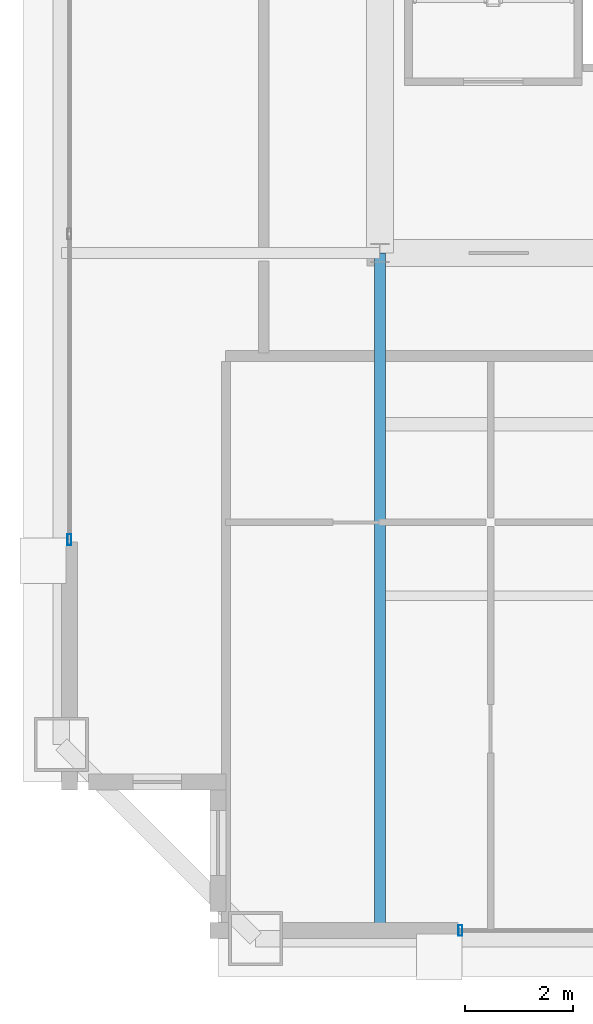
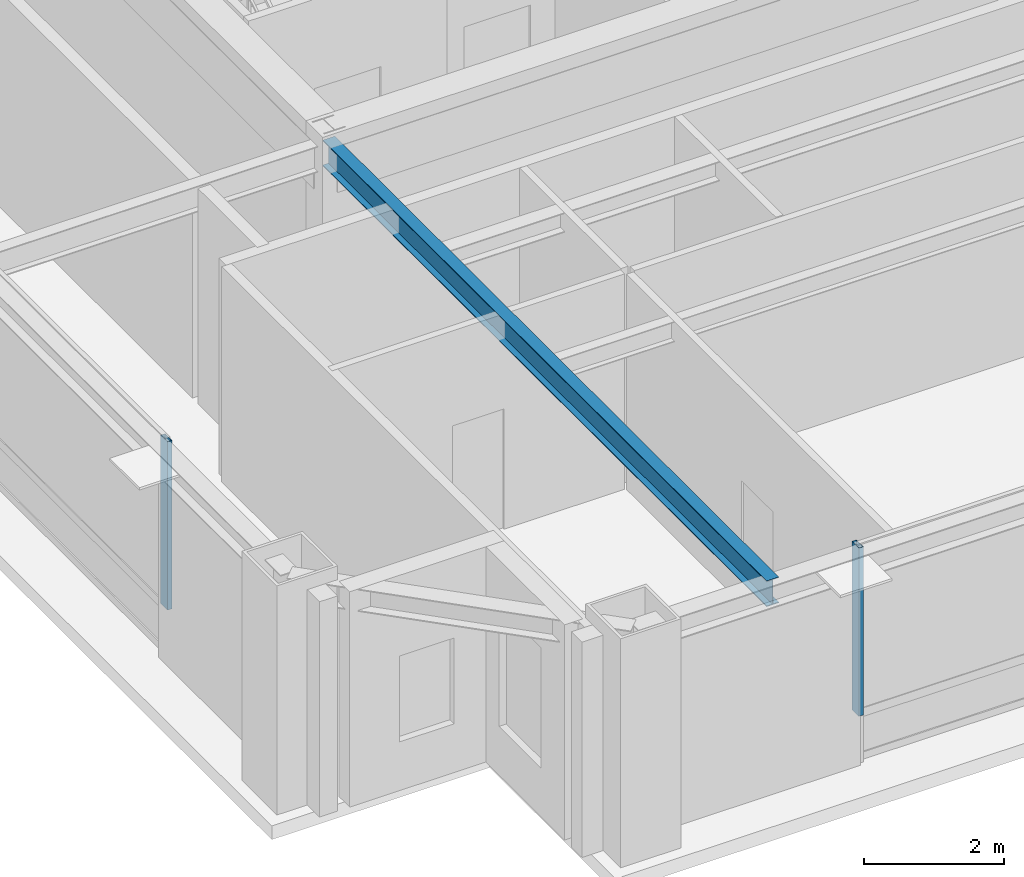
# One storey, part 4 of 34: 2 members, 1 beam, 2 elements without a shape of their own.
"""IFC4 building model written with IfcOpenShell, lengths in metres."""

import ifcopenshell
import ifcopenshell.guid

model = None  # the IFC model being written
_history = None  # IfcOwnerHistory: only IFC2X3 demands one
_inside = {}  # id of a spatial element -> (the spatial element, [elements in it])
_under = {}  # id of a project, library or spatial element -> (it, [spatial elements below it])
_declared = {}  # id of a project -> (the project, [libraries it declares])
_typed = {}  # id of a type object -> (the type object, [elements of that type])
_made_of = {}  # id of a material, layer set ... -> (it, [elements and type objects made of it])


def new_model(schema):
    """Start an empty IFC model of exactly this schema.

    Asked for "IFC4X3", IfcOpenShell would pick the latest addendum, in which some entities
    have other attributes; the version numbers below select the first issue.
    IFC2X3 requires an IfcOwnerHistory on every rooted entity: one is made here for all.
    """
    global model, _history
    if schema == "IFC4X3":
        model = ifcopenshell.file(schema_version=(4, 3, 0, 0))
    else:
        model = ifcopenshell.file(schema=schema)
    _inside.clear()
    _under.clear()
    _declared.clear()
    _typed.clear()
    _made_of.clear()
    _history = None
    if model.schema == "IFC2X3":
        org = make("IfcOrganization", Name="unknown")
        user = make(
            "IfcPersonAndOrganization",
            ThePerson=make("IfcPerson", FamilyName="unknown"),
            TheOrganization=org,
        )
        app = make(
            "IfcApplication",
            ApplicationDeveloper=org,
            Version="unknown",
            ApplicationFullName="unknown",
            ApplicationIdentifier="unknown",
        )
        _history = make(
            "IfcOwnerHistory",
            OwningUser=user,
            OwningApplication=app,
            ChangeAction="ADDED",
            CreationDate=0,
        )
    return model


def make(cls, **values):
    """One entity of the class cls with the attributes given. An attribute that is None is left unset."""
    return model.create_entity(
        cls, **{name: value for name, value in values.items() if value is not None}
    )


def rooted(cls, **values):
    """An entity with a GlobalId (a new one), such as an element, a storey or a relation."""
    return make(cls, GlobalId=ifcopenshell.guid.new(), OwnerHistory=_history, **values)


def si_unit(unit_type, name, prefix=None):
    """IfcSIUnit, for example si_unit("LENGTHUNIT", "METRE", prefix="MILLI")."""
    return make("IfcSIUnit", UnitType=unit_type, Prefix=prefix, Name=name)


def assignment(units):
    """IfcUnitAssignment: the units of a project."""
    return None if units is None else make("IfcUnitAssignment", Units=units)


def point(xyz):
    """IfcCartesianPoint."""
    return None if xyz is None else make("IfcCartesianPoint", Coordinates=xyz)


def direction(xyz):
    """IfcDirection."""
    return None if xyz is None else make("IfcDirection", DirectionRatios=xyz)


def frame(location, z_axis=None, x_axis=None):
    """IfcAxis2Placement3D, a coordinate frame: its origin and axes. An axis left out is left unset."""
    return make(
        "IfcAxis2Placement3D",
        Location=point(location),
        Axis=direction(z_axis),
        RefDirection=direction(x_axis),
    )


def frame_2d(location, x_axis=None):
    """IfcAxis2Placement2D, a coordinate frame in the plane: its origin and x axis."""
    return make(
        "IfcAxis2Placement2D", Location=point(location), RefDirection=direction(x_axis)
    )


def origin():
    """The frame at (0, 0, 0) with its axes left unset."""
    return frame((0.0, 0.0, 0.0))


def origin_2d():
    """The frame at (0, 0) in the plane with its x axis left unset."""
    return frame_2d((0.0, 0.0))


def place(relative_to, where):
    """IfcLocalPlacement: puts the frame where relative to a parent placement (None: the world)."""
    return make(
        "IfcLocalPlacement", PlacementRelTo=relative_to, RelativePlacement=where
    )


def context(
    kind, dimensions, precision=None, world=None, true_north=None, identifier=None
):
    """IfcGeometricRepresentationContext, for example the 3D "Model" context."""
    return make(
        "IfcGeometricRepresentationContext",
        ContextIdentifier=identifier,
        ContextType=kind,
        CoordinateSpaceDimension=dimensions,
        Precision=precision,
        WorldCoordinateSystem=world,
        TrueNorth=true_north,
    )


def subcontext(parent, identifier, kind, view, scale=None):
    """IfcGeometricRepresentationSubContext, for example "Body" below "Model"."""
    return make(
        "IfcGeometricRepresentationSubContext",
        ContextIdentifier=identifier,
        ContextType=kind,
        ParentContext=parent,
        TargetScale=scale,
        TargetView=view,
    )


def project(units=None, contexts=None):
    """IfcProject with its units and contexts."""
    return rooted(
        "IfcProject",
        Name="project",
        RepresentationContexts=contexts,
        UnitsInContext=assignment(units),
    )


def spatial(cls, under=None, at=None, **own):
    """A site, building, storey or space (cls), placed at a placement, below another one or the project."""
    s = rooted(cls, ObjectPlacement=at, **own)
    if under is not None:
        _under.setdefault(under.id(), (under, []))[1].append(s)
    return s


def profile(cls, at=None, kind="AREA", **sizes):
    """A parametric profile (cls). Its sizes go by their IFC names, for example OverallWidth=200.0."""
    return make(cls, ProfileType=kind, Position=at, **sizes)


def hollow_rectangle(**sizes):
    """IfcRectangleHollowProfileDef."""
    return profile("IfcRectangleHollowProfileDef", **sizes)


def i_section(**sizes):
    """IfcIShapeProfileDef."""
    return profile("IfcIShapeProfileDef", **sizes)


def extrude(swept, where, along, depth):
    """IfcExtrudedAreaSolid: the profile swept, set in the frame where, extruded along a direction by depth."""
    return make(
        "IfcExtrudedAreaSolid",
        SweptArea=swept,
        Position=where,
        ExtrudedDirection=direction(along),
        Depth=depth,
    )


def shape(context_of_items, identifier, shape_type, items):
    """IfcShapeRepresentation: the items that make up one representation, for example the "Body"."""
    return make(
        "IfcShapeRepresentation",
        ContextOfItems=context_of_items,
        RepresentationIdentifier=identifier,
        RepresentationType=shape_type,
        Items=items,
    )


def source(mapping_origin, context_of_items, identifier, shape_type, items):
    """IfcRepresentationMap: a shape defined once, which mapped items show again and again."""
    return make(
        "IfcRepresentationMap",
        MappingOrigin=mapping_origin,
        MappedRepresentation=shape(context_of_items, identifier, shape_type, items),
    )


def transform(
    local_origin,
    x_axis=None,
    y_axis=None,
    z_axis=None,
    scale=None,
    scale2=None,
    scale3=None,
    uniform=True,
):
    """IfcCartesianTransformationOperator3D, or its non-uniform kind. x_axis, y_axis, z_axis: its Axis1, 2, 3."""
    if uniform:
        return make(
            "IfcCartesianTransformationOperator3D",
            Axis1=direction(x_axis),
            Axis2=direction(y_axis),
            LocalOrigin=point(local_origin),
            Scale=scale,
            Axis3=direction(z_axis),
        )
    return make(
        "IfcCartesianTransformationOperator3DnonUniform",
        Axis1=direction(x_axis),
        Axis2=direction(y_axis),
        LocalOrigin=point(local_origin),
        Scale=scale,
        Axis3=direction(z_axis),
        Scale2=scale2,
        Scale3=scale3,
    )


def mapped(mapping_source, mapping_target):
    """IfcMappedItem: shows the shape of a source again, moved by a transform."""
    return make(
        "IfcMappedItem", MappingSource=mapping_source, MappingTarget=mapping_target
    )


def material(Name=None, Category=None):
    """IfcMaterial."""
    return make("IfcMaterial", Name=Name, Category=Category)


def layer(
    of_material, thickness, ventilated=None, Name=None, Category=None, Priority=None
):
    """IfcMaterialLayer: one layer of a wall or slab, of a material (None: an air gap)."""
    return make(
        "IfcMaterialLayer",
        Material=of_material,
        LayerThickness=thickness,
        IsVentilated=ventilated,
        Name=Name,
        Category=Category,
        Priority=Priority,
    )


def layer_set(layers, Name=None):
    """IfcMaterialLayerSet."""
    return make("IfcMaterialLayerSet", MaterialLayers=layers, LayerSetName=Name)


def material_profile(
    of_material, cross_section, Name=None, Category=None, Priority=None
):
    """IfcMaterialProfile: a cross section and its material."""
    return make(
        "IfcMaterialProfile",
        Name=Name,
        Material=of_material,
        Profile=cross_section,
        Priority=Priority,
        Category=Category,
    )


def profile_set(profiles, Name=None, composite=None):
    """IfcMaterialProfileSet."""
    return make(
        "IfcMaterialProfileSet",
        Name=Name,
        MaterialProfiles=profiles,
        CompositeProfile=composite,
    )


def made_of(thing, what):
    """Note that an element or type object is made of a material, layer set ...; save() writes the relation."""
    if what is not None:
        _made_of.setdefault(what.id(), (what, []))[1].append(thing)
    return thing


def type_object(cls, material=None, **own):
    """A type object (cls), such as IfcWallType, which elements share."""
    return made_of(rooted(cls, **own), material)


def element(
    cls,
    number,
    at=None,
    inside=None,
    cuts=None,
    type_object=None,
    material=None,
    context=None,
    identifier="Body",
    shape_type=None,
    held_by="IfcProductDefinitionShape",
    body=None,
    shapes=None,
    **own,
):
    """One element of the class cls, such as IfcWall. Its Tag is "e" and its number.

    at: its placement. inside: the storey or other place that contains it. cuts: it is an
    opening in that element (IfcRelVoidsElement). A single representation is given by context,
    identifier, shape_type and body (its items); several are given by shapes. held_by: the class
    of the entity that holds the representations. save() writes the other relations.
    """
    e = rooted(cls, Tag="e%d" % number, ObjectPlacement=at, **own)
    if body is not None:
        shapes = [shape(context, identifier, shape_type, body)]
    if shapes is not None:
        e.Representation = make(held_by, Representations=shapes)
    if inside is not None:
        _inside.setdefault(inside.id(), (inside, []))[1].append(e)
    if cuts is not None:
        rooted(
            "IfcRelVoidsElement", RelatingBuildingElement=cuts, RelatedOpeningElement=e
        )
    if type_object is not None:
        _typed.setdefault(type_object.id(), (type_object, []))[1].append(e)
    return made_of(e, material)


def aggregate(whole, parts):
    """IfcRelAggregates: a whole, such as a stair, and the parts it consists of."""
    return rooted("IfcRelAggregates", RelatingObject=whole, RelatedObjects=parts)


def save(model, path):
    """Write the relations noted so far, then the file.

    IfcRelAggregates (storeys below a building ...), IfcRelContainedInSpatialStructure (elements
    in a storey), IfcRelDefinesByType, IfcRelAssociatesMaterial and IfcRelDeclares: one each for
    every whole, place, type object, material and project.
    """
    for whole, parts in _under.values():
        aggregate(whole, parts)
    for where, things in _inside.values():
        rooted(
            "IfcRelContainedInSpatialStructure",
            RelatedElements=things,
            RelatingStructure=where,
        )
    for kind, things in _typed.values():
        rooted("IfcRelDefinesByType", RelatedObjects=things, RelatingType=kind)
    for what, things in _made_of.values():
        rooted("IfcRelAssociatesMaterial", RelatedObjects=things, RelatingMaterial=what)
    for by, libraries in _declared.values():
        rooted("IfcRelDeclares", RelatingContext=by, RelatedDefinitions=libraries)
    model.write(path)


model = new_model("IFC4")

# Units and contexts
model_context = context("Model", 3, precision=1e-05, world=origin(), true_north=direction((0.0, 1.0)))
body_context = subcontext(model_context, "Body", "Model", "MODEL_VIEW")
ifc_project = project(units=[si_unit("LENGTHUNIT", "METRE"), si_unit("AREAUNIT", "SQUARE_METRE"), si_unit("VOLUMEUNIT", "CUBIC_METRE"), si_unit("PLANEANGLEUNIT", "RADIAN"), si_unit("MASSUNIT", "GRAM", prefix="KILO"), si_unit("THERMODYNAMICTEMPERATUREUNIT", "KELVIN"), si_unit("POWERUNIT", "WATT")], contexts=[model_context])

# Site, building, storey
site_placement = place(None, origin())
site = spatial("IfcSite", under=ifc_project, at=site_placement, CompositionType="ELEMENT")
building_placement = place(site_placement, origin())
building = spatial("IfcBuilding", under=site, at=building_placement, Name="Yuzanri Waterfront Tower", CompositionType="ELEMENT")
storey_placement = place(building_placement, frame((0.0, 0.0, 339.199951171875)))
storey = spatial("IfcBuildingStorey", under=building, at=storey_placement, Name="L91", CompositionType="ELEMENT", Elevation=339.199951171875)

# Beam
ifc_material_1 = material(Name="Steel Q355B", Category="steel")
ifc_material_profile_1 = material_profile(ifc_material_1, i_section(OverallWidth=0.199951171875, OverallDepth=0.449951171875, WebThickness=0.009033203125, FlangeThickness=0.013916015625, at=origin_2d()), Name="HN 450x200x9x14")
ifc_profile_set_1 = profile_set([ifc_material_profile_1], Name="Steel Q355B")
beam_type = type_object("IfcBeamType", Name="Secondary Floor Beam Q355B HN 450x200", PredefinedType="BEAM", material=ifc_profile_set_1)
shared_shape_1 = source(origin(), body_context, "Body", "SweptSolid", [
    extrude(i_section(OverallWidth=0.199951171875, OverallDepth=0.449951171875, WebThickness=0.009033203125, FlangeThickness=0.013916015625, at=origin_2d()), origin(), (0.0, 0.0, 1.0), 12.699951171875),
])
beam_placement = place(storey_placement, frame((23.800048828125, 19.39990234375, 3.53515625), z_axis=(0.0, -1.0, 0.0), x_axis=(1.0, 0.0, 0.0)))
element("IfcBeam", 1, at=beam_placement, inside=storey, type_object=beam_type, Name="L91 South-West Core Line Beam", PredefinedType="BEAM", context=body_context, shape_type="MappedRepresentation", body=[
    mapped(shared_shape_1, transform((0.0, 0.0, 0.0), scale=1.0)),
])

# Curtain wall, member
ifc_material_2 = material(Name="Anodized Architectural Bronze", Category="metal")
ifc_layer = layer(ifc_material_2, 0.159912109375)
ifc_layer_set = layer_set([ifc_layer], Name="Anodized Architectural Bronze")
curtain_wall_type = type_object("IfcCurtainWallType", Name="Anodized Bronze High-Rise Penthouse High-Wind Unitized Curtain Wall 6900", PredefinedType="NOTDEFINED", material=ifc_layer_set)
curtain_wall_1_placement = place(storey_placement, origin())
curtain_wall_1 = element("IfcCurtainWall", 2, at=curtain_wall_1_placement, inside=storey, type_object=curtain_wall_type, Name="L91 Curtain Wall CW-L91-SL", PredefinedType="NOTDEFINED")
ifc_material_3 = material(Name="Anodized Architectural Bronze", Category="metal")
ifc_material_profile_2 = material_profile(ifc_material_3, hollow_rectangle(XDim=0.074951171875, YDim=0.199951171875, WallThickness=0.00390625, at=origin_2d()), Name="CWM 75x200")
ifc_profile_set_2 = profile_set([ifc_material_profile_2], Name="Anodized Architectural Bronze")
member_type = type_object("IfcMemberType", Name="Anodized Bronze Primary Curtain-Wall Mullion 75x200", PredefinedType="MULLION", material=ifc_profile_set_2)
shared_shape_2 = source(origin(), body_context, "Body", "SweptSolid", [
    extrude(hollow_rectangle(XDim=0.074951171875, YDim=0.199951171875, WallThickness=0.00390625, at=origin_2d()), origin(), (0.0, 0.0, 1.0), 2.93798828125),
])
member_1_placement = place(storey_placement, frame((25.2900390625, 6.85009765625, 0.822021484375), z_axis=(0.0, 0.0, 1.0), x_axis=(1.0, 0.0, 0.0)))
member_1 = element("IfcMember", 3, at=member_1_placement, type_object=member_type, Name="CW-L91-SL Upper Mullion 00", PredefinedType="MULLION", context=body_context, shape_type="MappedRepresentation", body=[
    mapped(shared_shape_2, transform((0.0, 0.0, 0.0), scale=1.0)),
])
aggregate(curtain_wall_1, [member_1])

curtain_wall_2_placement = place(storey_placement, origin())
curtain_wall_2 = element("IfcCurtainWall", 4, at=curtain_wall_2_placement, inside=storey, type_object=curtain_wall_type, Name="L91 Curtain Wall CW-L91-WL", PredefinedType="NOTDEFINED")
member_2_placement = place(storey_placement, frame((18.050048828125, 14.090087890625, 0.822021484375), z_axis=(0.0, 0.0, 1.0), x_axis=(1.0, 0.0, 0.0)))
member_2 = element("IfcMember", 5, at=member_2_placement, type_object=member_type, Name="CW-L91-WL Upper Mullion 00", PredefinedType="MULLION", context=body_context, shape_type="MappedRepresentation", body=[
    mapped(shared_shape_2, transform((0.0, 0.0, 0.0), scale=1.0)),
])
aggregate(curtain_wall_2, [member_2])

save(model, "model.ifc")
